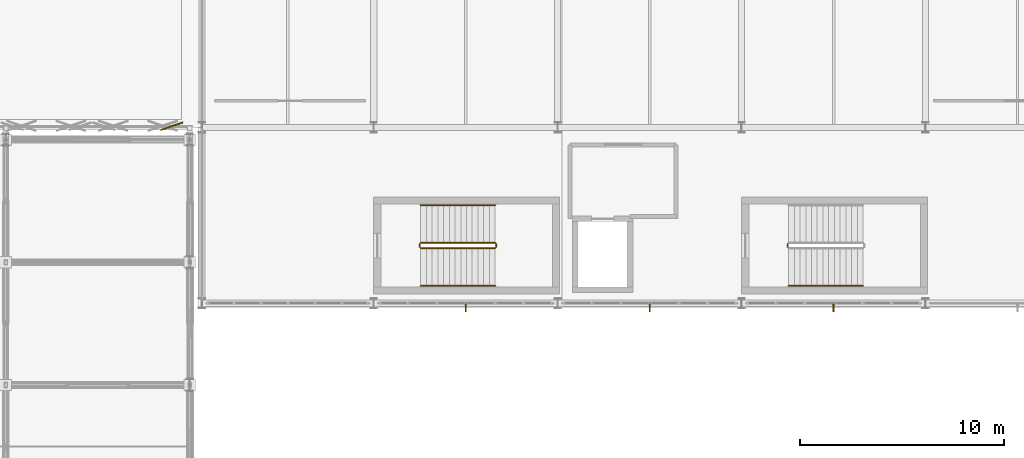
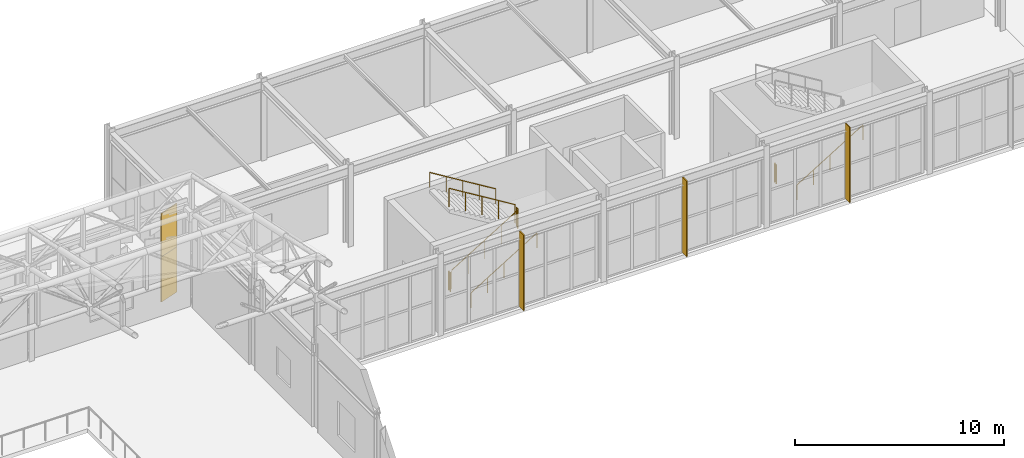
# One storey, part 105 of 112: 8 railings, 3 shading devices, 2 coverings.
"""IFC4 building model written with IfcOpenShell, lengths in metres."""

from ifc_helpers import new_model, si_unit, direction, frame, origin, origin_2d, place, context, subcontext, project, spatial, rectangle, circle, extrude, material, layer, layer_set, type_object, element, save


model = new_model("IFC4")

# Units and contexts
model_context = context("Model", 3, precision=1e-05, world=origin(), true_north=direction((0.0, 1.0)))
body_context = subcontext(model_context, "Body", "Model", "MODEL_VIEW")
ifc_project = project(units=[si_unit("LENGTHUNIT", "METRE"), si_unit("AREAUNIT", "SQUARE_METRE"), si_unit("VOLUMEUNIT", "CUBIC_METRE"), si_unit("PLANEANGLEUNIT", "RADIAN"), si_unit("MASSUNIT", "GRAM", prefix="KILO")], contexts=[model_context])

# Site, building, storey
site_placement = place(None, origin())
site = spatial("IfcSite", under=ifc_project, at=site_placement, CompositionType="ELEMENT")
building_placement = place(site_placement, origin())
building = spatial("IfcBuilding", under=site, at=building_placement, Name="Kaldris Quays Convention Centre", CompositionType="ELEMENT")
storey_placement = place(building_placement, frame((0.0, 0.0, 16.800048828125)))
storey = spatial("IfcBuildingStorey", under=building, at=storey_placement, Name="L03", CompositionType="ELEMENT", Elevation=16.800048828125)

# Railings
ifc_material_1 = material(Name="Steel S355J2", Category="steel")
railing_type_1 = type_object("IfcRailingType", Name="INTERIOR GUARDRAIL GR01", PredefinedType="GUARDRAIL", material=ifc_material_1)
railing_1_placement = place(storey_placement, frame((94.300048828125, 40.699951171875, 0.17138671875)))
element("IfcRailing", 1, at=railing_1_placement, inside=storey, type_object=railing_type_1, Name="L03 ST11 Stair Guardrail 1", PredefinedType="GUARDRAIL", context=body_context, shape_type="SweptSolid", body=[
    extrude(circle(Radius=0.02392578125, at=origin_2d()), frame((0.0, 0.0, 1.076171875), z_axis=(0.852850264322, 0.0, 0.5221555579), x_axis=(0.0, 1.0, 0.0)), (0.0, 0.0, 1.0), 4.267822265625),
    extrude(circle(Radius=0.02099609375, at=origin_2d()), origin(), (0.0, 0.0, 1.0), 1.052001953125),
    extrude(circle(Radius=0.02099609375, at=origin_2d()), frame((0.909912109375, 0.0, 0.55712890625)), (0.0, 0.0, 1.0), 1.052001953125),
    extrude(circle(Radius=0.02099609375, at=origin_2d()), frame((1.81982421875, 0.0, 1.1142578125)), (0.0, 0.0, 1.0), 1.052001953125),
    extrude(circle(Radius=0.02099609375, at=origin_2d()), frame((2.72998046875, 0.0, 1.67138671875)), (0.0, 0.0, 1.0), 1.052001953125),
    extrude(circle(Radius=0.02099609375, at=origin_2d()), frame((3.639892578125, 0.0, 2.228515625)), (0.0, 0.0, 1.0), 1.052001953125),
])
railing_2_placement = place(storey_placement, frame((97.989990234375, 40.75, 2.39990234375)))
element("IfcRailing", 2, at=railing_2_placement, inside=storey, type_object=railing_type_1, Name="L03 ST11 Stair Guardrail 2", PredefinedType="GUARDRAIL", context=body_context, shape_type="SweptSolid", body=[
    extrude(circle(Radius=0.02392578125, at=origin_2d()), frame((0.0, 0.0, 1.076171875), z_axis=(0.0, 1.0, 0.0), x_axis=(-1.0, 0.0, 0.0)), (0.0, 0.0, 1.0), 0.14990234375),
    extrude(circle(Radius=0.02099609375, at=origin_2d()), origin(), (0.0, 0.0, 1.0), 1.052001953125),
    extrude(circle(Radius=0.02099609375, at=origin_2d()), frame((0.0, 0.14990234375, 0.0)), (0.0, 0.0, 1.0), 1.052001953125),
])
railing_3_placement = place(storey_placement, frame((97.93994140625, 40.949951171875, 2.5712890625)))
element("IfcRailing", 3, at=railing_3_placement, inside=storey, type_object=railing_type_1, Name="L03 ST11 Stair Guardrail 3", PredefinedType="GUARDRAIL", context=body_context, shape_type="SweptSolid", body=[
    extrude(circle(Radius=0.02392578125, at=origin_2d()), frame((0.0, 0.0, 1.076171875), z_axis=(-0.852824790078, 0.0, 0.522197163366), x_axis=(0.0, -1.0, 0.0)), (0.0, 0.0, 1.0), 4.26806640625),
    extrude(circle(Radius=0.02099609375, at=origin_2d()), origin(), (0.0, 0.0, 1.0), 1.052001953125),
    extrude(circle(Radius=0.02099609375, at=origin_2d()), frame((-0.909912109375, 0.0, 0.55712890625)), (0.0, 0.0, 1.0), 1.052001953125),
    extrude(circle(Radius=0.02099609375, at=origin_2d()), frame((-1.81982421875, 0.0, 1.1142578125)), (0.0, 0.0, 1.0), 1.052001953125),
    extrude(circle(Radius=0.02099609375, at=origin_2d()), frame((-2.72998046875, 0.0, 1.671630859375)), (0.0, 0.0, 1.0), 1.052001953125),
    extrude(circle(Radius=0.02099609375, at=origin_2d()), frame((-3.639892578125, 0.0, 2.228759765625)), (0.0, 0.0, 1.0), 1.052001953125),
])
for number, where, name in (
    (4, (94.25, 40.75, 0.0), "L03 ST11 Stair Guardrail 4"),
    (5, (112.25, 40.75, 0.0), "L03 ST13 Stair Guardrail 4"),
):
    element("IfcRailing", number, at=place(storey_placement, frame(where)), inside=storey, type_object=railing_type_1, Name=name, PredefinedType="GUARDRAIL", context=body_context, shape_type="SweptSolid", body=[
        extrude(circle(Radius=0.02392578125, at=origin_2d()), frame((0.0, 0.0, 1.076171875), z_axis=(0.0, 1.0, 0.0), x_axis=(-1.0, 0.0, 0.0)), (0.0, 0.0, 1.0), 0.14990234375),
        extrude(circle(Radius=0.02099609375, at=origin_2d()), origin(), (0.0, 0.0, 1.0), 1.052001953125),
        extrude(circle(Radius=0.02099609375, at=origin_2d()), frame((0.0, 0.14990234375, 0.0)), (0.0, 0.0, 1.0), 1.052001953125),
    ])

# Shading devices
ifc_material_2 = material(Name="Anodized aluminium AW-6060", Category="aluminium")
shading_device_type = type_object("IfcShadingDeviceType", Name="SOLAR SHADING FIN SH01", PredefinedType="USERDEFINED", material=ifc_material_2)
for number, where, z_axis, x_axis, name in (
    (6, (96.5, 37.800048828125, 0.0), (0.0, 0.0, 1.0), (1.0, 0.0, 0.0), "L03 Anodized Solar Fin 1"),
    (7, (105.5, 37.800048828125, 0.0), (0.0, 0.0, 1.0), (1.0, 0.0, 0.0), "L03 Anodized Solar Fin 2"),
    (8, (114.5, 37.800048828125, 0.0), (0.0, 0.0, 1.0), (1.0, 0.0, 0.0), "L03 Anodized Solar Fin 3"),
):
    element("IfcShadingDevice", number, at=place(storey_placement, frame(where, z_axis=z_axis, x_axis=x_axis)), inside=storey, type_object=shading_device_type, Name=name, ObjectType="SOLAR FIN", PredefinedType="USERDEFINED", context=body_context, shape_type="SweptSolid", body=[
        extrude(rectangle(XDim=0.06005859375, YDim=0.419921875, at=origin_2d()), origin(), (0.0, 0.0, 1.0), 4.39990234375),
    ])

# Railings
ifc_material_3 = material(Name="Stainless steel 1.4301", Category="steel")
railing_type_2 = type_object("IfcRailingType", Name="STAIR HANDRAIL HR01", PredefinedType="HANDRAIL", material=ifc_material_3)
railing_4_placement = place(storey_placement, frame((94.300048828125, 38.85009765625, 0.17138671875)))
element("IfcRailing", 9, at=railing_4_placement, inside=storey, type_object=railing_type_2, Name="L03 ST11 Flight Handrail 1", PredefinedType="HANDRAIL", context=body_context, shape_type="SweptSolid", body=[
    extrude(circle(Radius=0.02392578125, at=origin_2d()), frame((0.0, 0.0, 0.8759765625), z_axis=(0.852850264322, 0.0, 0.5221555579), x_axis=(0.0, 1.0, 0.0)), (0.0, 0.0, 1.0), 4.267822265625),
    extrude(circle(Radius=0.02099609375, at=origin_2d()), origin(), (0.0, 0.0, 1.0), 0.851806640625),
    extrude(circle(Radius=0.02099609375, at=origin_2d()), frame((0.909912109375, 0.0, 0.55712890625)), (0.0, 0.0, 1.0), 0.851806640625),
    extrude(circle(Radius=0.02099609375, at=origin_2d()), frame((1.81982421875, 0.0, 1.1142578125)), (0.0, 0.0, 1.0), 0.851806640625),
    extrude(circle(Radius=0.02099609375, at=origin_2d()), frame((2.72998046875, 0.0, 1.67138671875)), (0.0, 0.0, 1.0), 0.851806640625),
    extrude(circle(Radius=0.02099609375, at=origin_2d()), frame((3.639892578125, 0.0, 2.228515625)), (0.0, 0.0, 1.0), 0.851806640625),
])
railing_5_placement = place(storey_placement, frame((97.93994140625, 42.800048828125, 2.5712890625)))
element("IfcRailing", 10, at=railing_5_placement, inside=storey, type_object=railing_type_2, Name="L03 ST11 Flight Handrail 2", PredefinedType="HANDRAIL", context=body_context, shape_type="SweptSolid", body=[
    extrude(circle(Radius=0.02392578125, at=origin_2d()), frame((0.0, 0.0, 0.8759765625), z_axis=(-0.852824790078, 0.0, 0.522197163366), x_axis=(0.0, -1.0, 0.0)), (0.0, 0.0, 1.0), 4.26806640625),
    extrude(circle(Radius=0.02099609375, at=origin_2d()), origin(), (0.0, 0.0, 1.0), 0.851806640625),
    extrude(circle(Radius=0.02099609375, at=origin_2d()), frame((-0.909912109375, 0.0, 0.55712890625)), (0.0, 0.0, 1.0), 0.851806640625),
    extrude(circle(Radius=0.02099609375, at=origin_2d()), frame((-1.81982421875, 0.0, 1.1142578125)), (0.0, 0.0, 1.0), 0.851806640625),
    extrude(circle(Radius=0.02099609375, at=origin_2d()), frame((-2.72998046875, 0.0, 1.671630859375)), (0.0, 0.0, 1.0), 0.851806640625),
    extrude(circle(Radius=0.02099609375, at=origin_2d()), frame((-3.639892578125, 0.0, 2.228759765625)), (0.0, 0.0, 1.0), 0.851806640625),
])
railing_6_placement = place(storey_placement, frame((112.300048828125, 38.85009765625, 0.17138671875)))
element("IfcRailing", 11, at=railing_6_placement, inside=storey, type_object=railing_type_2, Name="L03 ST13 Flight Handrail 1", PredefinedType="HANDRAIL", context=body_context, shape_type="SweptSolid", body=[
    extrude(circle(Radius=0.02392578125, at=origin_2d()), frame((0.0, 0.0, 0.8759765625), z_axis=(0.852850264322, 0.0, 0.5221555579), x_axis=(0.0, 1.0, 0.0)), (0.0, 0.0, 1.0), 4.267822265625),
    extrude(circle(Radius=0.02099609375, at=origin_2d()), origin(), (0.0, 0.0, 1.0), 0.851806640625),
    extrude(circle(Radius=0.02099609375, at=origin_2d()), frame((0.909912109375, 0.0, 0.55712890625)), (0.0, 0.0, 1.0), 0.851806640625),
    extrude(circle(Radius=0.02099609375, at=origin_2d()), frame((1.81982421875, 0.0, 1.1142578125)), (0.0, 0.0, 1.0), 0.851806640625),
    extrude(circle(Radius=0.02099609375, at=origin_2d()), frame((2.72998046875, 0.0, 1.67138671875)), (0.0, 0.0, 1.0), 0.851806640625),
    extrude(circle(Radius=0.02099609375, at=origin_2d()), frame((3.639892578125, 0.0, 2.228515625)), (0.0, 0.0, 1.0), 0.851806640625),
])

# Coverings
ifc_material_4 = material(Name="Alabaster white star-pierced anodized aluminium panel", Category="aluminium")
ifc_layer = layer(ifc_material_4, 0.044921875)
ifc_layer_set = layer_set([ifc_layer], Name="Alabaster white star-pierced anodized aluminium panel")
covering_type = type_object("IfcCoveringType", Name="STAR PIERCED WHITE FOLDED SCREEN CL01", PredefinedType="CLADDING", material=ifc_layer_set)
for number, where, z_axis, x_axis, name in (
    (12, (82.1171875, 46.659912109375, 0.33984375), (0.0, 0.0, 1.0), (0.945518575599, 0.325568154457, 0.0), "V3NU Folded White Screen Stile 3244"),
    (13, (82.1171875, 46.659912109375, 2.864990234375), (0.0, 0.0, 1.0), (0.945518575599, 0.325568154457, 0.0), "V3NU Folded White Screen Stile 3250"),
):
    element("IfcCovering", number, at=place(storey_placement, frame(where, z_axis=z_axis, x_axis=x_axis)), inside=storey, type_object=covering_type, Name=name, PredefinedType="CLADDING", context=body_context, shape_type="SweptSolid", body=[
        extrude(rectangle(XDim=1.137939453125, YDim=0.054931640625, at=origin_2d()), origin(), (0.0, 0.0, 1.0), 2.64501953125),
    ])

save(model, "model.ifc")
